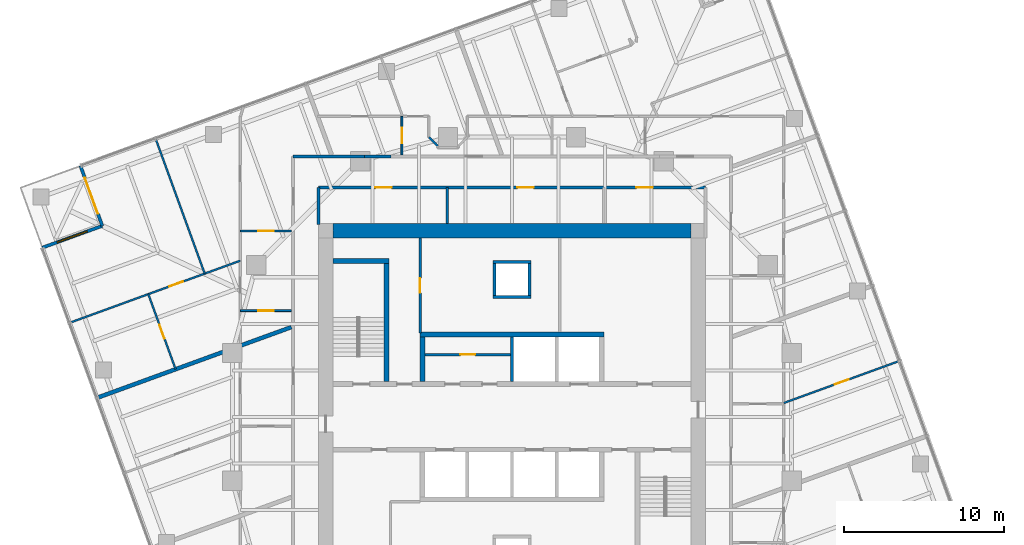
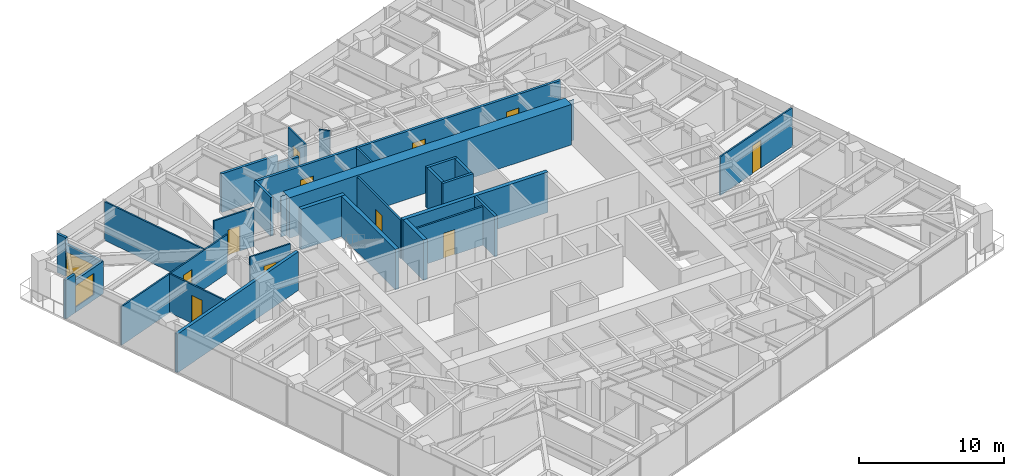
# One storey, part 10 of 13: 30 walls, 12 doors, 1 window, 13 openings.
"""IFC4 building model written with IfcOpenShell, lengths in metres."""

from ifc_helpers import new_model, si_unit, direction, frame, frame_2d, origin, place, context, subcontext, project, spatial, polyline, rectangle, outline, extrude, material, layer, layer_set, type_object, element, fill, save


model = new_model("IFC4")

# Units and contexts
model_context = context("Model", 3, precision=1e-05, world=origin(), true_north=direction((0.0, 1.0)))
body_context = subcontext(model_context, "Body", "Model", "MODEL_VIEW")
ifc_project = project(units=[si_unit("LENGTHUNIT", "METRE"), si_unit("AREAUNIT", "SQUARE_METRE"), si_unit("VOLUMEUNIT", "CUBIC_METRE"), si_unit("PLANEANGLEUNIT", "RADIAN"), si_unit("MASSUNIT", "GRAM", prefix="KILO")], contexts=[model_context])

# Site, building, storey
site_placement = place(None, origin())
site = spatial("IfcSite", under=ifc_project, at=site_placement, CompositionType="ELEMENT")
building_placement = place(site_placement, origin())
building = spatial("IfcBuilding", under=site, at=building_placement, Name="Torsade Residences", CompositionType="ELEMENT")
storey_placement = place(building_placement, frame((0.0, 0.0, 150.60009765625)))
storey = spatial("IfcBuildingStorey", under=building, at=storey_placement, Name="L41", CompositionType="ELEMENT", Elevation=150.60009765625)

# Walls
ifc_material_1 = material(Name="Concrete 80 MPa", Category="concrete")
ifc_layer_1 = layer(ifc_material_1, 0.300048828125)
ifc_layer_set_1 = layer_set([ifc_layer_1], Name="Concrete 80 MPa")
wall_type_1 = type_object("IfcWallType", Name="CORE INTERNAL WALL 300", PredefinedType="SHEAR", material=ifc_layer_set_1)
wall_1_placement = place(storey_placement, frame((34.25, 35.14990234375, 0.0), z_axis=(0.0, 0.0, 1.0), x_axis=(1.0, 0.0, 0.0)))
element("IfcWall", 1, at=wall_1_placement, inside=storey, type_object=wall_type_1, Name="Core wall BN L41", PredefinedType="SHEAR", context=body_context, shape_type="SweptSolid", body=[
    extrude(rectangle(XDim=11.5, YDim=0.300048828125, at=frame_2d((5.75, 0.0))), origin(), (0.0, 0.0, 1.0), 3.39990234375),
])
wall_2_placement = place(storey_placement, frame((34.39990234375, 32.199951171875, 0.0), z_axis=(0.0, 0.0, 1.0), x_axis=(0.0, 1.0, 0.0)))
element("IfcWall", 2, at=wall_2_placement, inside=storey, type_object=wall_type_1, Name="Core wall DN0 L41", PredefinedType="SHEAR", context=body_context, shape_type="SweptSolid", body=[
    extrude(rectangle(XDim=2.800048828125, YDim=0.300048828125, at=frame_2d((1.39990234375, 0.0))), origin(), (0.0, 0.0, 1.0), 3.39990234375),
])
wall_3_placement = place(storey_placement, frame((32.14990234375, 32.199951171875, 0.0), z_axis=(0.0, 0.0, 1.0), x_axis=(0.0, 1.0, 0.0)))
element("IfcWall", 3, at=wall_3_placement, inside=storey, type_object=wall_type_1, Name="Core wall ST1E L41", PredefinedType="SHEAR", context=body_context, shape_type="SweptSolid", body=[
    extrude(rectangle(XDim=7.699951171875, YDim=0.300048828125, at=frame_2d((3.85009765625, 0.0))), origin(), (0.0, 0.0, 1.0), 3.39990234375),
])
wall_4_placement = place(storey_placement, frame((28.800048828125, 39.75, 0.0), z_axis=(0.0, 0.0, 1.0), x_axis=(1.0, 0.0, 0.0)))
element("IfcWall", 4, at=wall_4_placement, inside=storey, type_object=wall_type_1, Name="Core wall ST1N L41", PredefinedType="SHEAR", context=body_context, shape_type="SweptSolid", body=[
    extrude(rectangle(XDim=3.5, YDim=0.300048828125, at=frame_2d((1.75, 0.0))), origin(), (0.0, 0.0, 1.0), 3.39990234375),
])
ifc_material_2 = material(Name="Concrete 80 MPa", Category="concrete")
ifc_layer_2 = layer(ifc_material_2, 0.89990234375)
ifc_layer_set_2 = layer_set([ifc_layer_2], Name="Concrete 80 MPa")
wall_type_2 = type_object("IfcWallType", Name="CORE WALL 900", PredefinedType="SHEAR", material=ifc_layer_set_2)
wall_5_placement = place(storey_placement, frame((28.800048828125, 41.64990234375, 0.0), z_axis=(0.0, 0.0, 1.0), x_axis=(1.0, 0.0, 0.0)))
element("IfcWall", 5, at=wall_5_placement, inside=storey, type_object=wall_type_2, Name="Core wall N L41", PredefinedType="SHEAR", context=body_context, shape_type="SweptSolid", body=[
    extrude(outline(polyline([(0.0, -0.449951171875), (22.39990234375, -0.449951171875), (22.39990234375, -0.02490234375), (22.849853515625, -0.02490234375), (22.849853515625, 0.02490234375), (22.39990234375, 0.02490234375), (22.39990234375, 0.449951171875), (0.0, 0.449951171875), (0.0, 0.02490234375), (-0.449951171875, 0.02490234375), (-0.449951171875, -0.02490234375), (0.0, -0.02490234375), (0.0, -0.449951171875)])), origin(), (0.0, 0.0, 1.0), 3.39990234375),
])
ifc_material_3 = material(Name="Plasterboard on steel stud", Category="steel")
ifc_layer_3 = layer(ifc_material_3, 0.199951171875)
ifc_layer_set_3 = layer_set([ifc_layer_3], Name="Plasterboard on steel stud")
wall_type_3 = type_object("IfcWallType", Name="CORRIDOR WALL 200", PredefinedType="PARTITIONING", material=ifc_layer_set_3)
wall_6_placement = place(storey_placement, frame((32.441650390625, 46.300048828125, 0.0), z_axis=(0.0, 0.0, 1.0), x_axis=(-1.0, 0.0, 0.0)))
element("IfcWall", 6, at=wall_6_placement, inside=storey, type_object=wall_type_3, Name="Corridor wall L41", PredefinedType="PARTITIONING", context=body_context, shape_type="SweptSolid", body=[
    extrude(rectangle(XDim=1.683349609375, YDim=0.199951171875, at=frame_2d((0.841796875, 0.0))), origin(), (0.0, 0.0, 1.0), 2.5498046875),
])
wall_7_placement = place(storey_placement, frame((30.75830078125, 46.300048828125, 0.0), z_axis=(0.0, 0.0, 1.0), x_axis=(-1.0, 0.0, 0.0)))
element("IfcWall", 7, at=wall_7_placement, inside=storey, type_object=wall_type_3, Name="Corridor wall L41", PredefinedType="PARTITIONING", context=body_context, shape_type="SweptSolid", body=[
    extrude(rectangle(XDim=4.458251953125, YDim=0.199951171875, at=frame_2d((2.22900390625, 0.0))), origin(), (0.0, 0.0, 1.0), 3.25),
])

# Wall, openings, doors
wall_8_placement = place(storey_placement, frame((52.10009765625, 44.35009765625, 0.0), z_axis=(0.0, 0.0, 1.0), x_axis=(-1.0, 0.0, 0.0)))
wall_8 = element("IfcWall", 8, at=wall_8_placement, inside=storey, type_object=wall_type_3, Name="Corridor wall L41", PredefinedType="PARTITIONING", context=body_context, shape_type="SweptSolid", body=[
    extrude(rectangle(XDim=24.2001953125, YDim=0.199951171875, at=frame_2d((12.10009765625, 0.0))), origin(), (0.0, 0.0, 1.0), 3.25),
])
opening_1_placement = place(wall_8_placement, frame((10.742919921875, 0.0, 0.0)))
opening_1 = element("IfcOpeningElement", 9, at=opening_1_placement, cuts=wall_8, Name="Opening D03", PredefinedType="OPENING", context=body_context, shape_type="SweptSolid", body=[
    extrude(rectangle(XDim=1.02001953125, YDim=2.10009765625, at=frame_2d((0.510009765625, 1.050048828125))), frame((0.0, 0.10986328125, 0.0), z_axis=(0.0, -1.0, 0.0), x_axis=(1.0, 0.0, 0.0)), (0.0, 0.0, 1.0), 0.219970703125),
])
opening_2_placement = place(wall_8_placement, frame((19.6357421875, 0.0, 0.0)))
opening_2 = element("IfcOpeningElement", 10, at=opening_2_placement, cuts=wall_8, Name="Opening D03", PredefinedType="OPENING", context=body_context, shape_type="SweptSolid", body=[
    extrude(rectangle(XDim=1.02001953125, YDim=2.10009765625, at=frame_2d((0.510009765625, 1.050048828125))), frame((0.0, 0.10986328125, 0.0), z_axis=(0.0, -1.0, 0.0), x_axis=(1.0, 0.0, 0.0)), (0.0, 0.0, 1.0), 0.219970703125),
])
opening_3_placement = place(wall_8_placement, frame((3.29736328125, 0.0, 0.0)))
opening_3 = element("IfcOpeningElement", 11, at=opening_3_placement, cuts=wall_8, Name="Opening D03", PredefinedType="OPENING", context=body_context, shape_type="SweptSolid", body=[
    extrude(rectangle(XDim=1.02001953125, YDim=2.10009765625, at=frame_2d((0.510009765625, 1.050048828125))), frame((0.0, 0.10986328125, 0.0), z_axis=(0.0, -1.0, 0.0), x_axis=(1.0, 0.0, 0.0)), (0.0, 0.0, 1.0), 0.219970703125),
])
ifc_material_4 = material(Name="Steel-framed fire door", Category="steel")
door_type_1 = type_object("IfcDoorType", Name="FIRE DOOR 1020", OperationType="NOTDEFINED", PredefinedType="DOOR", material=ifc_material_4)
door_1_placement = place(opening_1_placement, origin())
door_1 = element("IfcDoor", 12, at=door_1_placement, inside=storey, type_object=door_type_1, Name="Door Residential corridor to Residents storage", OperationType="SINGLE_SWING_LEFT", OverallHeight=2.10009765625, OverallWidth=1.02001953125, PredefinedType="DOOR", context=body_context, shape_type="SweptSolid", body=[
    extrude(rectangle(XDim=1.02001953125, YDim=2.10009765625, at=frame_2d((0.510009765625, 1.050048828125))), frame((0.0, 0.02490234375, 0.0), z_axis=(0.0, -1.0, 0.0), x_axis=(1.0, 0.0, 0.0)), (0.0, 0.0, 1.0), 0.050048828125),
])
fill(opening_1, door_1)
door_2_placement = place(opening_2_placement, origin())
door_2 = element("IfcDoor", 13, at=door_2_placement, inside=storey, type_object=door_type_1, Name="Door Residential corridor to Bulk store", OperationType="SINGLE_SWING_LEFT", OverallHeight=2.10009765625, OverallWidth=1.02001953125, PredefinedType="DOOR", context=body_context, shape_type="SweptSolid", body=[
    extrude(rectangle(XDim=1.02001953125, YDim=2.10009765625, at=frame_2d((0.510009765625, 1.050048828125))), frame((0.0, 0.02490234375, 0.0), z_axis=(0.0, -1.0, 0.0), x_axis=(1.0, 0.0, 0.0)), (0.0, 0.0, 1.0), 0.050048828125),
])
fill(opening_2, door_2)
door_3_placement = place(opening_3_placement, origin())
door_3 = element("IfcDoor", 14, at=door_3_placement, inside=storey, type_object=door_type_1, Name="Door Residential corridor to Parcel room", OperationType="SINGLE_SWING_RIGHT", OverallHeight=2.10009765625, OverallWidth=1.02001953125, PredefinedType="DOOR", context=body_context, shape_type="SweptSolid", body=[
    extrude(rectangle(XDim=1.02001953125, YDim=2.10009765625, at=frame_2d((0.510009765625, 1.050048828125))), frame((0.0, 0.02490234375, 0.0), z_axis=(0.0, -1.0, 0.0), x_axis=(1.0, 0.0, 0.0)), (0.0, 0.0, 1.0), 0.050048828125),
])
fill(opening_3, door_3)

# Walls
wall_9_placement = place(storey_placement, frame((27.89990234375, 44.35009765625, 0.0), z_axis=(0.0, 0.0, 1.0), x_axis=(0.0, -1.0, 0.0)))
element("IfcWall", 15, at=wall_9_placement, inside=storey, type_object=wall_type_3, Name="Corridor wall L41", PredefinedType="PARTITIONING", context=body_context, shape_type="SweptSolid", body=[
    extrude(rectangle(XDim=2.300048828125, YDim=0.199951171875, at=frame_2d((1.14990234375, 0.0))), origin(), (0.0, 0.0, 1.0), 3.25),
])
ifc_material_5 = material(Name="Reinforced blockwork", Category="masonry")
ifc_layer_4 = layer(ifc_material_5, 0.199951171875)
ifc_layer_set_4 = layer_set([ifc_layer_4], Name="Reinforced blockwork")
wall_type_4 = type_object("IfcWallType", Name="LIFT SHAFT DIVIDING WALL 200", PredefinedType="SOLIDWALL", material=ifc_layer_set_4)
wall_10_placement = place(storey_placement, frame((40.0, 32.199951171875, 0.0), z_axis=(0.0, 0.0, 1.0), x_axis=(0.0, 1.0, 0.0)))
element("IfcWall", 16, at=wall_10_placement, inside=storey, type_object=wall_type_4, Name="Core wall DN2 L41", PredefinedType="SOLIDWALL", context=body_context, shape_type="SweptSolid", body=[
    extrude(rectangle(XDim=2.800048828125, YDim=0.199951171875, at=frame_2d((1.39990234375, 0.0))), origin(), (0.0, 0.0, 1.0), 3.39990234375),
])

# Wall, opening, door
ifc_material_6 = material(Name="Plasterboard on steel stud", Category="steel")
ifc_layer_5 = layer(ifc_material_6, 0.1201171875)
ifc_layer_set_5 = layer_set([ifc_layer_5], Name="Plasterboard on steel stud")
wall_type_5 = type_object("IfcWallType", Name="PARTITION 120", PredefinedType="PARTITIONING", material=ifc_layer_set_5)
wall_11_placement = place(storey_placement, frame((57.0, 30.866455078125, 0.0), z_axis=(0.0, 0.0, 1.0), x_axis=(0.939685835373, 0.342038785519, 0.0)))
wall_11 = element("IfcWall", 17, at=wall_11_placement, inside=storey, type_object=wall_type_5, Name="Partition L41", PredefinedType="PARTITIONING", context=body_context, shape_type="SweptSolid", body=[
    extrude(rectangle(XDim=7.68896484375, YDim=0.1201171875, at=frame_2d((3.844482421875, 0.0))), origin(), (0.0, 0.0, 1.0), 3.25),
])
opening_4_placement = place(wall_11_placement, frame((3.404296875, 0.0, 0.0)))
opening_4 = element("IfcOpeningElement", 18, at=opening_4_placement, cuts=wall_11, Name="Opening D02", PredefinedType="OPENING", context=body_context, shape_type="SweptSolid", body=[
    extrude(rectangle(XDim=0.919921875, YDim=2.340087890625, at=frame_2d((0.4599609375, 1.169921875))), frame((0.0, 0.070068359375, 0.0), z_axis=(0.0, -1.0, 0.0), x_axis=(1.0, 0.0, 0.0)), (0.0, 0.0, 1.0), 0.14013671875),
])
ifc_material_7 = material(Name="Hollow-core timber door", Category="wood")
door_type_2 = type_object("IfcDoorType", Name="INTERNAL DOOR 920x2340", OperationType="NOTDEFINED", PredefinedType="DOOR", material=ifc_material_7)
door_4_placement = place(opening_4_placement, origin())
door_4 = element("IfcDoor", 19, at=door_4_placement, inside=storey, type_object=door_type_2, Name="Door Living room to Bedroom 1", OperationType="SINGLE_SWING_RIGHT", OverallHeight=2.340087890625, OverallWidth=0.919921875, PredefinedType="DOOR", context=body_context, shape_type="SweptSolid", body=[
    extrude(rectangle(XDim=0.919921875, YDim=2.340087890625, at=frame_2d((0.4599609375, 1.169921875))), frame((0.0, 0.02490234375, 0.0), z_axis=(0.0, -1.0, 0.0), x_axis=(1.0, 0.0, 0.0)), (0.0, 0.0, 1.0), 0.050048828125),
])
fill(opening_4, door_4)

# Wall
wall_12_placement = place(storey_placement, frame((34.800048828125, 47.5, 0.0), z_axis=(0.0, 0.0, 1.0), x_axis=(0.707106781187, -0.707106781187, 0.0)))
element("IfcWall", 20, at=wall_12_placement, inside=storey, type_object=wall_type_5, Name="Partition L41", PredefinedType="PARTITIONING", context=body_context, shape_type="SweptSolid", body=[
    extrude(rectangle(XDim=0.77783203125, YDim=0.1201171875, at=frame_2d((0.388916015625, 0.0))), origin(), (0.0, 0.0, 1.0), 3.25),
])

# Wall, opening, door
wall_13_placement = place(storey_placement, frame((33.111572265625, 46.39990234375, 0.0), z_axis=(0.0, 0.0, 1.0), x_axis=(0.0, 1.0, 0.0)))
wall_13 = element("IfcWall", 21, at=wall_13_placement, inside=storey, type_object=wall_type_5, Name="Partition L41", PredefinedType="PARTITIONING", context=body_context, shape_type="SweptSolid", body=[
    extrude(rectangle(XDim=2.400146484375, YDim=0.1201171875, at=frame_2d((1.2001953125, 0.0))), origin(), (0.0, 0.0, 1.0), 3.25),
])
opening_5_placement = place(wall_13_placement, frame((0.719970703125, 0.0, 0.0)))
opening_5 = element("IfcOpeningElement", 22, at=opening_5_placement, cuts=wall_13, Name="Opening D05", PredefinedType="OPENING", context=body_context, shape_type="SweptSolid", body=[
    extrude(rectangle(XDim=0.9599609375, YDim=2.10009765625, at=frame_2d((0.47998046875, 1.050048828125))), frame((0.0, 0.070068359375, 0.0), z_axis=(0.0, -1.0, 0.0), x_axis=(1.0, 0.0, 0.0)), (0.0, 0.0, 1.0), 0.14013671875),
])
ifc_material_8 = material(Name="Hollow-core timber door in a steel cavity frame", Category="steel")
door_type_3 = type_object("IfcDoorType", Name="BATHROOM CAVITY SLIDING DOOR 960", OperationType="SLIDING_TO_LEFT", PredefinedType="DOOR", material=ifc_material_8)
door_5_placement = place(opening_5_placement, origin())
door_5 = element("IfcDoor", 23, at=door_5_placement, inside=storey, type_object=door_type_3, Name="Door Kitchen and dining to Bathroom", OperationType="SLIDING_TO_LEFT", OverallHeight=2.10009765625, OverallWidth=0.9599609375, PredefinedType="DOOR", context=body_context, shape_type="SweptSolid", body=[
    extrude(rectangle(XDim=0.9599609375, YDim=2.10009765625, at=frame_2d((0.47998046875, 1.050048828125))), frame((0.0, 0.02490234375, 0.0), z_axis=(0.0, -1.0, 0.0), x_axis=(1.0, 0.0, 0.0)), (0.0, 0.0, 1.0), 0.050048828125),
])
fill(opening_5, door_5)

wall_14_placement = place(storey_placement, frame((26.199951171875, 41.633544921875, 0.0), z_axis=(0.0, 0.0, 1.0), x_axis=(-1.0, 0.0, 0.0)))
wall_14 = element("IfcWall", 24, at=wall_14_placement, inside=storey, type_object=wall_type_5, Name="Partition L41", PredefinedType="PARTITIONING", context=body_context, shape_type="SweptSolid", body=[
    extrude(rectangle(XDim=3.199951171875, YDim=0.1201171875, at=frame_2d((1.60009765625, 0.0))), origin(), (0.0, 0.0, 1.0), 3.25),
])
opening_6_placement = place(wall_14_placement, frame((1.1201171875, 0.0, 0.0)))
opening_6 = element("IfcOpeningElement", 25, at=opening_6_placement, cuts=wall_14, Name="Opening D05", PredefinedType="OPENING", context=body_context, shape_type="SweptSolid", body=[
    extrude(rectangle(XDim=0.9599609375, YDim=2.10009765625, at=frame_2d((0.47998046875, 1.050048828125))), frame((0.0, 0.070068359375, 0.0), z_axis=(0.0, -1.0, 0.0), x_axis=(1.0, 0.0, 0.0)), (0.0, 0.0, 1.0), 0.14013671875),
])
door_6_placement = place(opening_6_placement, origin())
door_6 = element("IfcDoor", 26, at=door_6_placement, inside=storey, type_object=door_type_3, Name="Door Kitchen and dining to Bathroom", OperationType="SLIDING_TO_LEFT", OverallHeight=2.10009765625, OverallWidth=0.9599609375, PredefinedType="DOOR", context=body_context, shape_type="SweptSolid", body=[
    extrude(rectangle(XDim=0.9599609375, YDim=2.10009765625, at=frame_2d((0.47998046875, 1.050048828125))), frame((0.0, 0.02490234375, 0.0), z_axis=(0.0, -1.0, 0.0), x_axis=(1.0, 0.0, 0.0)), (0.0, 0.0, 1.0), 0.050048828125),
])
fill(opening_6, door_6)

wall_15_placement = place(storey_placement, frame((26.199951171875, 36.64453125, 0.0), z_axis=(0.0, 0.0, 1.0), x_axis=(-1.0, 0.0, 0.0)))
wall_15 = element("IfcWall", 27, at=wall_15_placement, inside=storey, type_object=wall_type_5, Name="Partition L41", PredefinedType="PARTITIONING", context=body_context, shape_type="SweptSolid", body=[
    extrude(rectangle(XDim=3.199951171875, YDim=0.1201171875, at=frame_2d((1.60009765625, 0.0))), origin(), (0.0, 0.0, 1.0), 3.25),
])
opening_7_placement = place(wall_15_placement, frame((1.1201171875, 0.0, 0.0)))
opening_7 = element("IfcOpeningElement", 28, at=opening_7_placement, cuts=wall_15, Name="Opening D05", PredefinedType="OPENING", context=body_context, shape_type="SweptSolid", body=[
    extrude(rectangle(XDim=0.9599609375, YDim=2.10009765625, at=frame_2d((0.47998046875, 1.050048828125))), frame((0.0, 0.070068359375, 0.0), z_axis=(0.0, -1.0, 0.0), x_axis=(1.0, 0.0, 0.0)), (0.0, 0.0, 1.0), 0.14013671875),
])
door_7_placement = place(opening_7_placement, origin())
door_7 = element("IfcDoor", 29, at=door_7_placement, inside=storey, type_object=door_type_3, Name="Door Bathroom to Ensuite", OperationType="SLIDING_TO_LEFT", OverallHeight=2.10009765625, OverallWidth=0.9599609375, PredefinedType="DOOR", context=body_context, shape_type="SweptSolid", body=[
    extrude(rectangle(XDim=0.9599609375, YDim=2.10009765625, at=frame_2d((0.47998046875, 1.050048828125))), frame((0.0, 0.02490234375, 0.0), z_axis=(0.0, -1.0, 0.0), x_axis=(1.0, 0.0, 0.0)), (0.0, 0.0, 1.0), 0.050048828125),
])
fill(opening_7, door_7)

# Wall
wall_16_placement = place(storey_placement, frame((17.709716796875, 47.384765625, 0.0), z_axis=(0.0, 0.0, 1.0), x_axis=(0.342038393654, -0.939685978009, 0.0)))
element("IfcWall", 30, at=wall_16_placement, inside=storey, type_object=wall_type_5, Name="Partition L41", PredefinedType="PARTITIONING", context=body_context, shape_type="SweptSolid", body=[
    extrude(rectangle(XDim=8.960205078125, YDim=0.1201171875, at=frame_2d((4.47998046875, 0.0))), origin(), (0.0, 0.0, 1.0), 3.25),
])

# Wall, opening, door
wall_17_placement = place(storey_placement, frame((23.0, 39.775146484375, 0.0), z_axis=(0.0, 0.0, 1.0), x_axis=(-0.939693965364, -0.342016449105, 0.0)))
wall_17 = element("IfcWall", 31, at=wall_17_placement, inside=storey, type_object=wall_type_5, Name="Partition L41", PredefinedType="PARTITIONING", context=body_context, shape_type="SweptSolid", body=[
    extrude(rectangle(XDim=11.328369140625, YDim=0.1201171875, at=frame_2d((5.6640625, 0.0))), origin(), (0.0, 0.0, 1.0), 3.25),
])
opening_8_placement = place(wall_17_placement, frame((3.812255859375, 0.0, 0.0)))
opening_8 = element("IfcOpeningElement", 32, at=opening_8_placement, cuts=wall_17, Name="Opening D02", PredefinedType="OPENING", context=body_context, shape_type="SweptSolid", body=[
    extrude(rectangle(XDim=0.919921875, YDim=2.340087890625, at=frame_2d((0.4599609375, 1.169921875))), frame((0.0, 0.070068359375, 0.0), z_axis=(0.0, -1.0, 0.0), x_axis=(1.0, 0.0, 0.0)), (0.0, 0.0, 1.0), 0.14013671875),
])
door_8_placement = place(opening_8_placement, origin())
door_8 = element("IfcDoor", 33, at=door_8_placement, inside=storey, type_object=door_type_2, Name="Door Walk-in robe to Living room", OperationType="SINGLE_SWING_RIGHT", OverallHeight=2.340087890625, OverallWidth=0.919921875, PredefinedType="DOOR", context=body_context, shape_type="SweptSolid", body=[
    extrude(rectangle(XDim=0.919921875, YDim=2.340087890625, at=frame_2d((0.4599609375, 1.169921875))), frame((0.0, 0.02490234375, 0.0), z_axis=(0.0, -1.0, 0.0), x_axis=(1.0, 0.0, 0.0)), (0.0, 0.0, 1.0), 0.050048828125),
])
fill(opening_8, door_8)

wall_18_placement = place(storey_placement, frame((17.243408203125, 37.679931640625, 0.0), z_axis=(0.0, 0.0, 1.0), x_axis=(0.341993964619, -0.939702148643, 0.0)))
wall_18 = element("IfcWall", 34, at=wall_18_placement, inside=storey, type_object=wall_type_5, Name="Partition L41", PredefinedType="PARTITIONING", context=body_context, shape_type="SweptSolid", body=[
    extrude(rectangle(XDim=5.0, YDim=0.1201171875, at=frame_2d((2.5, 0.0))), origin(), (0.0, 0.0, 1.0), 3.25),
])
opening_9_placement = place(wall_18_placement, frame((2.0400390625, 0.0, 0.0)))
opening_9 = element("IfcOpeningElement", 35, at=opening_9_placement, cuts=wall_18, Name="Opening D02", PredefinedType="OPENING", context=body_context, shape_type="SweptSolid", body=[
    extrude(rectangle(XDim=0.919921875, YDim=2.340087890625, at=frame_2d((0.4599609375, 1.169921875))), frame((0.0, 0.070068359375, 0.0), z_axis=(0.0, -1.0, 0.0), x_axis=(1.0, 0.0, 0.0)), (0.0, 0.0, 1.0), 0.14013671875),
])
door_9_placement = place(opening_9_placement, origin())
door_9 = element("IfcDoor", 36, at=door_9_placement, inside=storey, type_object=door_type_2, Name="Door Walk-in robe to Bedroom 2", OperationType="SINGLE_SWING_RIGHT", OverallHeight=2.340087890625, OverallWidth=0.919921875, PredefinedType="DOOR", context=body_context, shape_type="SweptSolid", body=[
    extrude(rectangle(XDim=0.919921875, YDim=2.340087890625, at=frame_2d((0.4599609375, 1.169921875))), frame((0.0, 0.02490234375, 0.0), z_axis=(0.0, -1.0, 0.0), x_axis=(1.0, 0.0, 0.0)), (0.0, 0.0, 1.0), 0.050048828125),
])
fill(opening_9, door_9)

# Walls
ifc_material_9 = material(Name="Masonry-lined stud party wall", Category="masonry")
ifc_layer_6 = layer(ifc_material_9, 0.25)
ifc_layer_set_6 = layer_set([ifc_layer_6], Name="Masonry-lined stud party wall")
wall_type_6 = type_object("IfcWallType", Name="PARTY WALL 250", PredefinedType="PARTITIONING", material=ifc_layer_set_6)
wall_19_placement = place(storey_placement, frame((14.027099609375, 31.1884765625, 0.0), z_axis=(0.0, 0.0, 1.0), x_axis=(0.939692090592, 0.342021600019, 0.0)))
element("IfcWall", 37, at=wall_19_placement, inside=storey, type_object=wall_type_6, Name="Party wall L41", PredefinedType="PARTITIONING", context=body_context, shape_type="SweptSolid", body=[
    extrude(rectangle(XDim=12.94873046875, YDim=0.25, at=frame_2d((6.474365234375, 0.0))), origin(), (0.0, 0.0, 1.0), 3.25),
])
ifc_material_10 = material(Name="Reinforced blockwork", Category="masonry")
ifc_layer_7 = layer(ifc_material_10, 0.199951171875)
ifc_layer_set_7 = layer_set([ifc_layer_7], Name="Reinforced blockwork")
wall_type_7 = type_object("IfcWallType", Name="RISER SHAFT WALL 200", PredefinedType="SOLIDWALL", material=ifc_layer_set_7)
for number, where, z_axis, x_axis, name in (
    (38, (38.89990234375, 37.60009765625, 0.0), (0.0, 0.0, 1.0), (0.0, 1.0, 0.0), "Core wall RS1a L41"),
    (39, (41.10009765625, 37.60009765625, 0.0), (0.0, 0.0, 1.0), (0.0, 1.0, 0.0), "Core wall RS1b L41"),
):
    element("IfcWall", number, at=place(storey_placement, frame(where, z_axis=z_axis, x_axis=x_axis)), inside=storey, type_object=wall_type_7, Name=name, PredefinedType="SOLIDWALL", context=body_context, shape_type="SweptSolid", body=[
        extrude(rectangle(XDim=2.0, YDim=0.199951171875, at=frame_2d((1.0, 0.0))), origin(), (0.0, 0.0, 1.0), 3.39990234375),
    ])
for number, where, z_axis, x_axis, name in (
    (40, (38.800048828125, 37.5, 0.0), (0.0, 0.0, 1.0), (1.0, 0.0, 0.0), "Core wall RS1c L41"),
    (41, (38.800048828125, 39.699951171875, 0.0), (0.0, 0.0, 1.0), (1.0, 0.0, 0.0), "Core wall RS1d L41"),
):
    element("IfcWall", number, at=place(storey_placement, frame(where, z_axis=z_axis, x_axis=x_axis)), inside=storey, type_object=wall_type_7, Name=name, PredefinedType="SOLIDWALL", context=body_context, shape_type="SweptSolid", body=[
        extrude(rectangle(XDim=2.39990234375, YDim=0.199951171875, at=frame_2d((1.199951171875, 0.0))), origin(), (0.0, 0.0, 1.0), 3.39990234375),
    ])

# Wall, opening, door
ifc_material_11 = material(Name="Reinforced blockwork", Category="masonry")
ifc_layer_8 = layer(ifc_material_11, 0.14990234375)
ifc_layer_set_8 = layer_set([ifc_layer_8], Name="Reinforced blockwork")
wall_type_8 = type_object("IfcWallType", Name="SERVICE ROOM WALL 150", PredefinedType="SOLIDWALL", material=ifc_layer_set_8)
wall_20_placement = place(storey_placement, frame((34.25, 41.199951171875, 0.0), z_axis=(0.0, 0.0, 1.0), x_axis=(0.0, -1.0, 0.0)))
wall_20 = element("IfcWall", 42, at=wall_20_placement, inside=storey, type_object=wall_type_8, Name="Service room wall L41", PredefinedType="SOLIDWALL", context=body_context, shape_type="SweptSolid", body=[
    extrude(rectangle(XDim=5.949951171875, YDim=0.14990234375, at=frame_2d((2.97509765625, 0.0))), origin(), (0.0, 0.0, 1.0), 3.25),
])
opening_10_placement = place(wall_20_placement, frame((2.514892578125, 0.0, 0.0)))
opening_10 = element("IfcOpeningElement", 43, at=opening_10_placement, cuts=wall_20, Name="Opening D06", PredefinedType="OPENING", context=body_context, shape_type="SweptSolid", body=[
    extrude(rectangle(XDim=0.919921875, YDim=2.10009765625, at=frame_2d((0.4599609375, 1.050048828125))), frame((0.0, 0.0849609375, 0.0), z_axis=(0.0, -1.0, 0.0), x_axis=(1.0, 0.0, 0.0)), (0.0, 0.0, 1.0), 0.169921875),
])
ifc_material_12 = material(Name="Steel-framed fire door", Category="steel")
door_type_4 = type_object("IfcDoorType", Name="FIRE DOOR 920", OperationType="NOTDEFINED", PredefinedType="DOOR", material=ifc_material_12)
door_10_placement = place(opening_10_placement, origin())
door_10 = element("IfcDoor", 44, at=door_10_placement, inside=storey, type_object=door_type_4, Name="Door Meter store to Electrical riser room", OperationType="SINGLE_SWING_LEFT", OverallHeight=2.10009765625, OverallWidth=0.919921875, PredefinedType="DOOR", context=body_context, shape_type="SweptSolid", body=[
    extrude(rectangle(XDim=0.919921875, YDim=2.10009765625, at=frame_2d((0.4599609375, 1.050048828125))), frame((0.0, 0.02490234375, 0.0), z_axis=(0.0, -1.0, 0.0), x_axis=(1.0, 0.0, 0.0)), (0.0, 0.0, 1.0), 0.050048828125),
])
fill(opening_10, door_10)

# Wall
wall_21_placement = place(storey_placement, frame((35.95849609375, 42.10009765625, 0.0), z_axis=(0.0, 0.0, 1.0), x_axis=(0.0, 1.0, 0.0)))
element("IfcWall", 45, at=wall_21_placement, inside=storey, type_object=wall_type_8, Name="Service room wall L41", PredefinedType="SOLIDWALL", context=body_context, shape_type="SweptSolid", body=[
    extrude(rectangle(XDim=2.25, YDim=0.14990234375, at=frame_2d((1.125, 0.0))), origin(), (0.0, 0.0, 1.0), 3.25),
])

# Wall, opening, door
wall_22_placement = place(storey_placement, frame((34.550048828125, 33.89990234375, 0.0), z_axis=(0.0, 0.0, 1.0), x_axis=(1.0, 0.0, 0.0)))
wall_22 = element("IfcWall", 46, at=wall_22_placement, inside=storey, type_object=wall_type_8, Name="Service room wall L41", PredefinedType="SOLIDWALL", context=body_context, shape_type="SweptSolid", body=[
    extrude(rectangle(XDim=5.349853515625, YDim=0.14990234375, at=frame_2d((2.6748046875, 0.0))), origin(), (0.0, 0.0, 1.0), 3.25),
])
opening_11_placement = place(wall_22_placement, frame((2.215087890625, 0.0, 0.0)))
opening_11 = element("IfcOpeningElement", 47, at=opening_11_placement, cuts=wall_22, Name="Opening D06", PredefinedType="OPENING", context=body_context, shape_type="SweptSolid", body=[
    extrude(rectangle(XDim=0.919921875, YDim=2.10009765625, at=frame_2d((0.4599609375, 1.050048828125))), frame((0.0, 0.0849609375, 0.0), z_axis=(0.0, -1.0, 0.0), x_axis=(1.0, 0.0, 0.0)), (0.0, 0.0, 1.0), 0.169921875),
])
door_11_placement = place(opening_11_placement, origin())
door_11 = element("IfcDoor", 48, at=door_11_placement, inside=storey, type_object=door_type_4, Name="Door Linen store L41A to Equipment store L41B", OperationType="SINGLE_SWING_RIGHT", OverallHeight=2.10009765625, OverallWidth=0.919921875, PredefinedType="DOOR", context=body_context, shape_type="SweptSolid", body=[
    extrude(rectangle(XDim=0.919921875, YDim=2.10009765625, at=frame_2d((0.4599609375, 1.050048828125))), frame((0.0, 0.02490234375, 0.0), z_axis=(0.0, -1.0, 0.0), x_axis=(1.0, 0.0, 0.0)), (0.0, 0.0, 1.0), 0.050048828125),
])
fill(opening_11, door_11)

# Wall
ifc_material_13 = material(Name="Stone-faced precast concrete 40 MPa panel", Category="masonry")
ifc_layer_9 = layer(ifc_material_13, 0.199951171875)
ifc_layer_set_9 = layer_set([ifc_layer_9], Name="Stone-faced precast concrete 40 MPa panel")
wall_type_9 = type_object("IfcWallType", Name="TERRACE WALL 200", PredefinedType="SOLIDWALL", material=ifc_layer_set_9)
wall_23_placement = place(storey_placement, frame((12.99755859375, 45.712158203125, 0.0), z_axis=(0.0, 0.0, 1.0), x_axis=(0.342110593602, -0.939659694648, 0.0)))
element("IfcWall", 49, at=wall_23_placement, inside=storey, type_object=wall_type_9, Name="Terrace wall L41 8", PredefinedType="SOLIDWALL", context=body_context, shape_type="SweptSolid", body=[
    extrude(rectangle(XDim=0.800048828125, YDim=0.199951171875, at=frame_2d((0.39990234375, 0.0))), origin(), (0.0, 0.0, 1.0), 3.25),
])

# Wall, opening, door
wall_24_placement = place(storey_placement, frame((13.271240234375, 44.96044921875, 0.0), z_axis=(0.0, 0.0, 1.0), x_axis=(0.342018703306, -0.939693144909, 0.0)))
wall_24 = element("IfcWall", 50, at=wall_24_placement, inside=storey, type_object=wall_type_9, Name="Terrace wall L41 8", PredefinedType="SOLIDWALL", context=body_context, shape_type="SweptSolid", body=[
    extrude(rectangle(XDim=3.199951171875, YDim=0.199951171875, at=frame_2d((1.60009765625, 0.0))), origin(), (0.0, 0.0, 1.0), 2.721923828125),
])
opening_12_placement = place(wall_24_placement, origin())
opening_12 = element("IfcOpeningElement", 51, at=opening_12_placement, cuts=wall_24, Name="Opening D10A", PredefinedType="OPENING", context=body_context, shape_type="SweptSolid", body=[
    extrude(rectangle(XDim=2.39990234375, YDim=2.10009765625, at=frame_2d((1.199951171875, 1.050048828125))), frame((0.0, 0.10986328125, 0.0), z_axis=(0.0, -1.0, 0.0), x_axis=(1.0, 0.0, 0.0)), (0.0, 0.0, 1.0), 0.219970703125),
])
ifc_material_14 = material(Name="Aluminium-framed glass door", Category="aluminium")
door_type_5 = type_object("IfcDoorType", Name="TERRACE SLIDING DOOR 2400x2100", OperationType="SLIDING_TO_LEFT", PredefinedType="DOOR", material=ifc_material_14)
door_12_placement = place(opening_12_placement, origin())
door_12 = element("IfcDoor", 52, at=door_12_placement, inside=storey, type_object=door_type_5, Name="Terrace door L41 8", OperationType="SLIDING_TO_LEFT", OverallHeight=2.10009765625, OverallWidth=2.39990234375, PredefinedType="DOOR", context=body_context, shape_type="SweptSolid", body=[
    extrude(rectangle(XDim=2.39990234375, YDim=2.10009765625, at=frame_2d((1.199951171875, 1.050048828125))), frame((0.0, 0.02490234375, 0.0), z_axis=(0.0, -1.0, 0.0), x_axis=(1.0, 0.0, 0.0)), (0.0, 0.0, 1.0), 0.050048828125),
])
fill(opening_12, door_12)

# Wall, opening, window
wall_25_placement = place(storey_placement, frame((14.36572265625, 41.953369140625, 0.0), z_axis=(0.0, 0.0, 1.0), x_axis=(-0.939712609717, -0.341965219194, 0.0)))
wall_25 = element("IfcWall", 53, at=wall_25_placement, inside=storey, type_object=wall_type_9, Name="Terrace wall L41 9", PredefinedType="SOLIDWALL", context=body_context, shape_type="SweptSolid", body=[
    extrude(rectangle(XDim=3.0, YDim=0.199951171875, at=frame_2d((1.5, 0.0))), origin(), (0.0, 0.0, 1.0), 2.721923828125),
])
opening_13_placement = place(wall_25_placement, frame((1.0, 0.0, 0.449951171875)))
opening_13 = element("IfcOpeningElement", 54, at=opening_13_placement, cuts=wall_25, Name="Opening W1B", PredefinedType="OPENING", context=body_context, shape_type="SweptSolid", body=[
    extrude(rectangle(XDim=2.0, YDim=1.800048828125, at=frame_2d((1.0, 0.89990234375))), frame((0.0, 0.10986328125, 0.0), z_axis=(0.0, -1.0, 0.0), x_axis=(1.0, 0.0, 0.0)), (0.0, 0.0, 1.0), 0.219970703125),
])
ifc_material_15 = material(Name="Aluminium-framed glass window", Category="aluminium")
window_type = type_object("IfcWindowType", Name="TERRACE WINDOW 2000x1800", PartitioningType="SINGLE_PANEL", PredefinedType="WINDOW", material=ifc_material_15)
window_placement = place(opening_13_placement, origin())
window = element("IfcWindow", 55, at=window_placement, inside=storey, type_object=window_type, Name="Terrace window L41 9", OverallHeight=1.800048828125, OverallWidth=2.0, PartitioningType="SINGLE_PANEL", PredefinedType="WINDOW", context=body_context, shape_type="SweptSolid", body=[
    extrude(rectangle(XDim=2.0, YDim=1.800048828125, at=frame_2d((1.0, 0.89990234375))), frame((0.0, 0.030029296875, 0.0), z_axis=(0.0, -1.0, 0.0), x_axis=(1.0, 0.0, 0.0)), (0.0, 0.0, 1.0), 0.06005859375),
])
fill(opening_13, window)

# Wall
wall_26_placement = place(storey_placement, frame((11.546630859375, 40.927490234375, 0.0), z_axis=(0.0, 0.0, 1.0), x_axis=(-0.939686455819, -0.342037080957, 0.0)))
element("IfcWall", 56, at=wall_26_placement, inside=storey, type_object=wall_type_9, Name="Terrace wall L41 9", PredefinedType="SOLIDWALL", context=body_context, shape_type="SweptSolid", body=[
    extrude(rectangle(XDim=1.0, YDim=0.199951171875, at=frame_2d((0.5, 0.0))), origin(), (0.0, 0.0, 1.0), 3.25),
])

save(model, "model.ifc")
